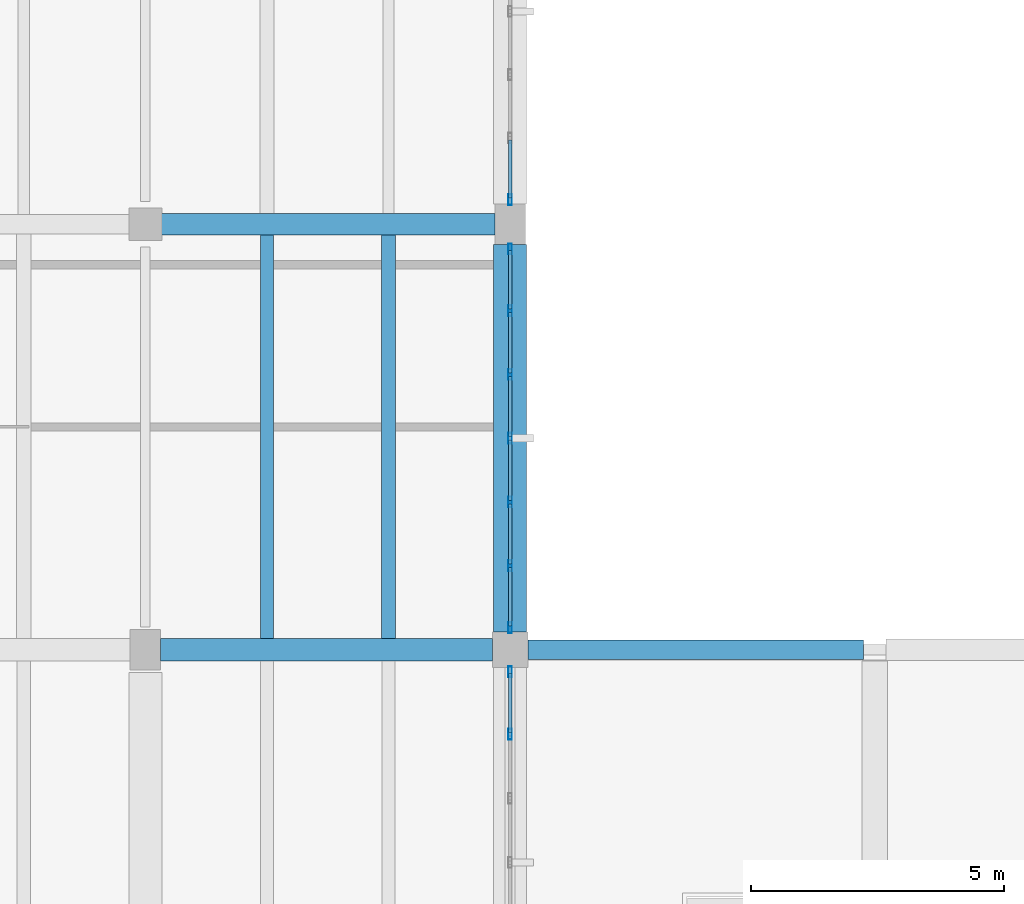
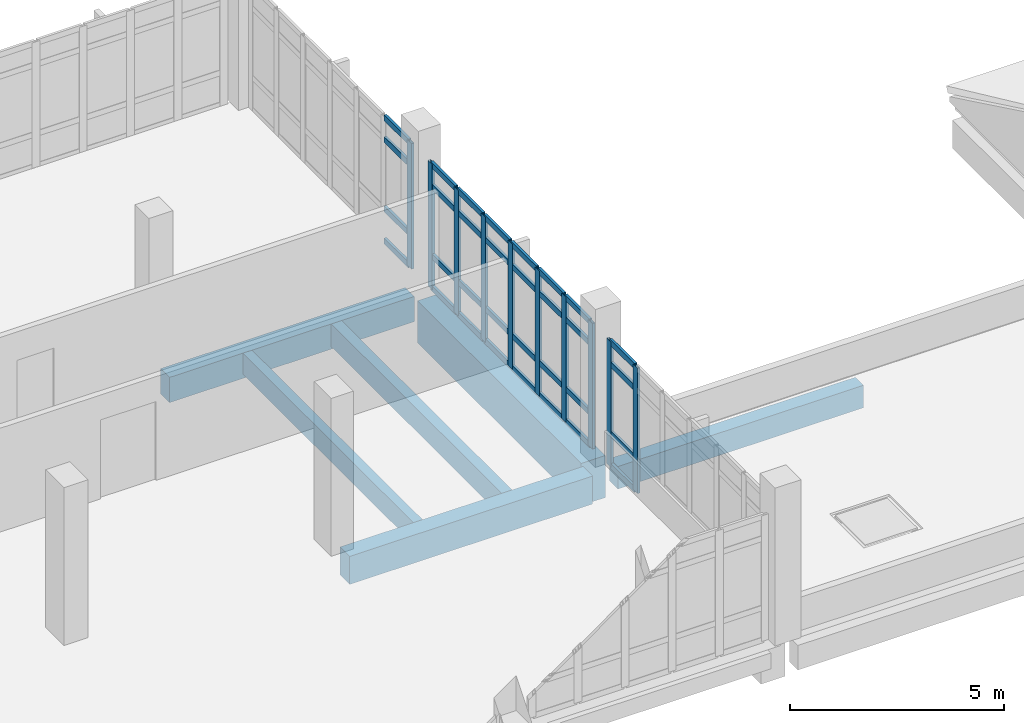
# One storey, part 76 of 124: 42 members, 6 beams, 3 elements without a shape of their own.
"""IFC4 building model written with IfcOpenShell, lengths in metres."""

import ifcopenshell
import ifcopenshell.guid

model = None  # the IFC model being written
_history = None  # IfcOwnerHistory: only IFC2X3 demands one
_inside = {}  # id of a spatial element -> (the spatial element, [elements in it])
_under = {}  # id of a project, library or spatial element -> (it, [spatial elements below it])
_declared = {}  # id of a project -> (the project, [libraries it declares])
_typed = {}  # id of a type object -> (the type object, [elements of that type])
_made_of = {}  # id of a material, layer set ... -> (it, [elements and type objects made of it])


def new_model(schema):
    """Start an empty IFC model of exactly this schema.

    Asked for "IFC4X3", IfcOpenShell would pick the latest addendum, in which some entities
    have other attributes; the version numbers below select the first issue.
    IFC2X3 requires an IfcOwnerHistory on every rooted entity: one is made here for all.
    """
    global model, _history
    if schema == "IFC4X3":
        model = ifcopenshell.file(schema_version=(4, 3, 0, 0))
    else:
        model = ifcopenshell.file(schema=schema)
    _inside.clear()
    _under.clear()
    _declared.clear()
    _typed.clear()
    _made_of.clear()
    _history = None
    if model.schema == "IFC2X3":
        org = make("IfcOrganization", Name="unknown")
        user = make(
            "IfcPersonAndOrganization",
            ThePerson=make("IfcPerson", FamilyName="unknown"),
            TheOrganization=org,
        )
        app = make(
            "IfcApplication",
            ApplicationDeveloper=org,
            Version="unknown",
            ApplicationFullName="unknown",
            ApplicationIdentifier="unknown",
        )
        _history = make(
            "IfcOwnerHistory",
            OwningUser=user,
            OwningApplication=app,
            ChangeAction="ADDED",
            CreationDate=0,
        )
    return model


def make(cls, **values):
    """One entity of the class cls with the attributes given. An attribute that is None is left unset."""
    return model.create_entity(
        cls, **{name: value for name, value in values.items() if value is not None}
    )


def rooted(cls, **values):
    """An entity with a GlobalId (a new one), such as an element, a storey or a relation."""
    return make(cls, GlobalId=ifcopenshell.guid.new(), OwnerHistory=_history, **values)


def si_unit(unit_type, name, prefix=None):
    """IfcSIUnit, for example si_unit("LENGTHUNIT", "METRE", prefix="MILLI")."""
    return make("IfcSIUnit", UnitType=unit_type, Prefix=prefix, Name=name)


def assignment(units):
    """IfcUnitAssignment: the units of a project."""
    return None if units is None else make("IfcUnitAssignment", Units=units)


def point(xyz):
    """IfcCartesianPoint."""
    return None if xyz is None else make("IfcCartesianPoint", Coordinates=xyz)


def direction(xyz):
    """IfcDirection."""
    return None if xyz is None else make("IfcDirection", DirectionRatios=xyz)


def frame(location, z_axis=None, x_axis=None):
    """IfcAxis2Placement3D, a coordinate frame: its origin and axes. An axis left out is left unset."""
    return make(
        "IfcAxis2Placement3D",
        Location=point(location),
        Axis=direction(z_axis),
        RefDirection=direction(x_axis),
    )


def frame_2d(location, x_axis=None):
    """IfcAxis2Placement2D, a coordinate frame in the plane: its origin and x axis."""
    return make(
        "IfcAxis2Placement2D", Location=point(location), RefDirection=direction(x_axis)
    )


def origin():
    """The frame at (0, 0, 0) with its axes left unset."""
    return frame((0.0, 0.0, 0.0))


def origin_2d():
    """The frame at (0, 0) in the plane with its x axis left unset."""
    return frame_2d((0.0, 0.0))


def place(relative_to, where):
    """IfcLocalPlacement: puts the frame where relative to a parent placement (None: the world)."""
    return make(
        "IfcLocalPlacement", PlacementRelTo=relative_to, RelativePlacement=where
    )


def context(
    kind, dimensions, precision=None, world=None, true_north=None, identifier=None
):
    """IfcGeometricRepresentationContext, for example the 3D "Model" context."""
    return make(
        "IfcGeometricRepresentationContext",
        ContextIdentifier=identifier,
        ContextType=kind,
        CoordinateSpaceDimension=dimensions,
        Precision=precision,
        WorldCoordinateSystem=world,
        TrueNorth=true_north,
    )


def subcontext(parent, identifier, kind, view, scale=None):
    """IfcGeometricRepresentationSubContext, for example "Body" below "Model"."""
    return make(
        "IfcGeometricRepresentationSubContext",
        ContextIdentifier=identifier,
        ContextType=kind,
        ParentContext=parent,
        TargetScale=scale,
        TargetView=view,
    )


def project(units=None, contexts=None):
    """IfcProject with its units and contexts."""
    return rooted(
        "IfcProject",
        Name="project",
        RepresentationContexts=contexts,
        UnitsInContext=assignment(units),
    )


def spatial(cls, under=None, at=None, **own):
    """A site, building, storey or space (cls), placed at a placement, below another one or the project."""
    s = rooted(cls, ObjectPlacement=at, **own)
    if under is not None:
        _under.setdefault(under.id(), (under, []))[1].append(s)
    return s


def profile(cls, at=None, kind="AREA", **sizes):
    """A parametric profile (cls). Its sizes go by their IFC names, for example OverallWidth=200.0."""
    return make(cls, ProfileType=kind, Position=at, **sizes)


def rectangle(**sizes):
    """IfcRectangleProfileDef."""
    return profile("IfcRectangleProfileDef", **sizes)


def hollow_rectangle(**sizes):
    """IfcRectangleHollowProfileDef."""
    return profile("IfcRectangleHollowProfileDef", **sizes)


def extrude(swept, where, along, depth):
    """IfcExtrudedAreaSolid: the profile swept, set in the frame where, extruded along a direction by depth."""
    return make(
        "IfcExtrudedAreaSolid",
        SweptArea=swept,
        Position=where,
        ExtrudedDirection=direction(along),
        Depth=depth,
    )


def shape(context_of_items, identifier, shape_type, items):
    """IfcShapeRepresentation: the items that make up one representation, for example the "Body"."""
    return make(
        "IfcShapeRepresentation",
        ContextOfItems=context_of_items,
        RepresentationIdentifier=identifier,
        RepresentationType=shape_type,
        Items=items,
    )


def material(Name=None, Category=None):
    """IfcMaterial."""
    return make("IfcMaterial", Name=Name, Category=Category)


def material_profile(
    of_material, cross_section, Name=None, Category=None, Priority=None
):
    """IfcMaterialProfile: a cross section and its material."""
    return make(
        "IfcMaterialProfile",
        Name=Name,
        Material=of_material,
        Profile=cross_section,
        Priority=Priority,
        Category=Category,
    )


def profile_set(profiles, Name=None, composite=None):
    """IfcMaterialProfileSet."""
    return make(
        "IfcMaterialProfileSet",
        Name=Name,
        MaterialProfiles=profiles,
        CompositeProfile=composite,
    )


def made_of(thing, what):
    """Note that an element or type object is made of a material, layer set ...; save() writes the relation."""
    if what is not None:
        _made_of.setdefault(what.id(), (what, []))[1].append(thing)
    return thing


def type_object(cls, material=None, **own):
    """A type object (cls), such as IfcWallType, which elements share."""
    return made_of(rooted(cls, **own), material)


def element(
    cls,
    number,
    at=None,
    inside=None,
    cuts=None,
    type_object=None,
    material=None,
    context=None,
    identifier="Body",
    shape_type=None,
    held_by="IfcProductDefinitionShape",
    body=None,
    shapes=None,
    **own,
):
    """One element of the class cls, such as IfcWall. Its Tag is "e" and its number.

    at: its placement. inside: the storey or other place that contains it. cuts: it is an
    opening in that element (IfcRelVoidsElement). A single representation is given by context,
    identifier, shape_type and body (its items); several are given by shapes. held_by: the class
    of the entity that holds the representations. save() writes the other relations.
    """
    e = rooted(cls, Tag="e%d" % number, ObjectPlacement=at, **own)
    if body is not None:
        shapes = [shape(context, identifier, shape_type, body)]
    if shapes is not None:
        e.Representation = make(held_by, Representations=shapes)
    if inside is not None:
        _inside.setdefault(inside.id(), (inside, []))[1].append(e)
    if cuts is not None:
        rooted(
            "IfcRelVoidsElement", RelatingBuildingElement=cuts, RelatedOpeningElement=e
        )
    if type_object is not None:
        _typed.setdefault(type_object.id(), (type_object, []))[1].append(e)
    return made_of(e, material)


def aggregate(whole, parts):
    """IfcRelAggregates: a whole, such as a stair, and the parts it consists of."""
    return rooted("IfcRelAggregates", RelatingObject=whole, RelatedObjects=parts)


def save(model, path):
    """Write the relations noted so far, then the file.

    IfcRelAggregates (storeys below a building ...), IfcRelContainedInSpatialStructure (elements
    in a storey), IfcRelDefinesByType, IfcRelAssociatesMaterial and IfcRelDeclares: one each for
    every whole, place, type object, material and project.
    """
    for whole, parts in _under.values():
        aggregate(whole, parts)
    for where, things in _inside.values():
        rooted(
            "IfcRelContainedInSpatialStructure",
            RelatedElements=things,
            RelatingStructure=where,
        )
    for kind, things in _typed.values():
        rooted("IfcRelDefinesByType", RelatedObjects=things, RelatingType=kind)
    for what, things in _made_of.values():
        rooted("IfcRelAssociatesMaterial", RelatedObjects=things, RelatingMaterial=what)
    for by, libraries in _declared.values():
        rooted("IfcRelDeclares", RelatingContext=by, RelatedDefinitions=libraries)
    model.write(path)


model = new_model("IFC4")

# Units and contexts
model_context = context("Model", 3, precision=1e-05, world=origin(), true_north=direction((0.0, 1.0)))
body_context = subcontext(model_context, "Body", "Model", "MODEL_VIEW")
ifc_project = project(units=[si_unit("LENGTHUNIT", "METRE"), si_unit("AREAUNIT", "SQUARE_METRE"), si_unit("VOLUMEUNIT", "CUBIC_METRE"), si_unit("PLANEANGLEUNIT", "RADIAN"), si_unit("MASSUNIT", "GRAM", prefix="KILO")], contexts=[model_context])

# Site, building, storey
site_placement = place(None, origin())
site = spatial("IfcSite", under=ifc_project, at=site_placement, CompositionType="ELEMENT")
building_placement = place(site_placement, origin())
building = spatial("IfcBuilding", under=site, at=building_placement, Name="Kalluvel Institute of Natural Sciences", CompositionType="ELEMENT")
storey_placement = place(building_placement, frame((0.0, 0.0, 9.89990234375)))
storey = spatial("IfcBuildingStorey", under=building, at=storey_placement, Name="L02", CompositionType="ELEMENT", Elevation=9.89990234375)

# Beams
ifc_material_1 = material(Name="Concrete M40", Category="concrete")
ifc_material_profile_1 = material_profile(ifc_material_1, rectangle(XDim=0.3798828125, YDim=0.639892578125, at=origin_2d()), Name="RCB 380x640")
ifc_profile_set_1 = profile_set([ifc_material_profile_1], Name="Concrete M40")
beam_type_1 = type_object("IfcBeamType", Name="BM-RC380x640", PredefinedType="BEAM", material=ifc_profile_set_1)
beam_1_placement = place(storey_placement, frame((115.14990234375, 111.199951171875, -0.639892578125), z_axis=(1.0, 0.0, 0.0), x_axis=(0.0, 1.0, 0.0)))
element("IfcBeam", 1, at=beam_1_placement, inside=storey, type_object=beam_type_1, Name="L02 girder GIR-L02-EW-X1148-Y1112", PredefinedType="BEAM", context=body_context, shape_type="SweptSolid", body=[
    extrude(rectangle(XDim=0.3798828125, YDim=0.639892578125, at=origin_2d()), origin(), (0.0, 0.0, 1.0), 6.625),
])
ifc_material_profile_2 = material_profile(ifc_material_1, rectangle(XDim=0.419921875, YDim=0.719970703125, at=origin_2d()), Name="RCB 420x720")
ifc_profile_set_2 = profile_set([ifc_material_profile_2], Name="Concrete M40")
beam_type_2 = type_object("IfcBeamType", Name="BM-RC420x720", PredefinedType="BEAM", material=ifc_profile_set_2)
beam_2_placement = place(storey_placement, frame((107.89990234375, 119.60009765625, -0.679931640625), z_axis=(1.0, 0.0, 0.0), x_axis=(0.0, 1.0, 0.0)))
element("IfcBeam", 2, at=beam_2_placement, inside=storey, type_object=beam_type_2, Name="L02 girder GIR-L02-EW-X1076-Y1196", PredefinedType="BEAM", context=body_context, shape_type="SweptSolid", body=[
    extrude(rectangle(XDim=0.419921875, YDim=0.719970703125, at=origin_2d()), origin(), (0.0, 0.0, 1.0), 6.60009765625),
])
ifc_material_profile_3 = material_profile(ifc_material_1, rectangle(XDim=0.449951171875, YDim=0.800048828125, at=origin_2d()), Name="RCB 450x800")
ifc_profile_set_3 = profile_set([ifc_material_profile_3], Name="Concrete M40")
beam_type_3 = type_object("IfcBeamType", Name="BM-RC450x800", PredefinedType="BEAM", material=ifc_profile_set_3)
beam_3_placement = place(storey_placement, frame((107.89990234375, 111.199951171875, -0.719970703125), z_axis=(1.0, 0.0, 0.0), x_axis=(0.0, 1.0, 0.0)))
element("IfcBeam", 3, at=beam_3_placement, inside=storey, type_object=beam_type_3, Name="L02 girder GIR-L02-EW-X1076-Y1112", PredefinedType="BEAM", context=body_context, shape_type="SweptSolid", body=[
    extrude(rectangle(XDim=0.449951171875, YDim=0.800048828125, at=origin_2d()), origin(), (0.0, 0.0, 1.0), 6.550048828125),
])
ifc_material_2 = material(Name="Concrete M50", Category="concrete")
ifc_material_profile_4 = material_profile(ifc_material_2, rectangle(XDim=0.64990234375, YDim=1.199951171875, at=origin_2d()), Name="RCB 650x1200")
ifc_profile_set_4 = profile_set([ifc_material_profile_4], Name="Concrete M50")
beam_type_4 = type_object("IfcBeamType", Name="BM-RC650x1200", PredefinedType="BEAM", material=ifc_profile_set_4)
beam_4_placement = place(storey_placement, frame((114.800048828125, 111.550048828125, -0.919921875), z_axis=(0.0, 1.0, 0.0), x_axis=(-1.0, 0.0, 0.0)))
element("IfcBeam", 4, at=beam_4_placement, inside=storey, type_object=beam_type_4, Name="L02 girder GIR-L02-NS-X1148-Y1112", PredefinedType="BEAM", context=body_context, shape_type="SweptSolid", body=[
    extrude(rectangle(XDim=0.64990234375, YDim=1.199951171875, at=origin_2d()), origin(), (0.0, 0.0, 1.0), 7.64990234375),
])

# Curtain wall, members
ifc_material_3 = material(Name="Aluminium AW-6063 T6", Category="aluminium")
curtain_wall_type = type_object("IfcCurtainWallType", Name="CW-WET-45", PredefinedType="USERDEFINED", material=ifc_material_3)
curtain_wall_1_placement = place(storey_placement, origin())
curtain_wall_1 = element("IfcCurtainWall", 5, at=curtain_wall_1_placement, inside=storey, type_object=curtain_wall_type, Name="L02 Gothic lancet curtain wall CWA-L02-X1148-Y1032", ObjectType="UNITISED LANCET FACADE", PredefinedType="USERDEFINED")
ifc_material_profile_5 = material_profile(ifc_material_3, hollow_rectangle(XDim=0.070068359375, YDim=0.2099609375, WallThickness=0.0048828125, at=origin_2d()), Name="CWM 70x210")
ifc_profile_set_5 = profile_set([ifc_material_profile_5], Name="Aluminium AW-6063 T6")
member_type_1 = type_object("IfcMemberType", Name="CWM-70x210", PredefinedType="MULLION", material=ifc_profile_set_5)
member_1_placement = place(storey_placement, frame((114.800048828125, 109.533447265625, 0.0), z_axis=(0.0, 0.0, 1.0), x_axis=(-1.0, 0.0, 0.0)))
member_1 = element("IfcMember", 6, at=member_1_placement, type_object=member_type_1, Name="CW-01 mullion 6", PredefinedType="MULLION", context=body_context, shape_type="SweptSolid", body=[
    extrude(hollow_rectangle(XDim=0.070068359375, YDim=0.2099609375, WallThickness=0.0048828125, at=origin_2d()), origin(), (0.0, 0.0, 1.0), 3.580078125),
])
member_2_placement = place(storey_placement, frame((114.800048828125, 110.764892578125, 0.0), z_axis=(0.0, 0.0, 1.0), x_axis=(-1.0, 0.0, 0.0)))
member_2 = element("IfcMember", 7, at=member_2_placement, type_object=member_type_1, Name="CW-01 mullion 7", PredefinedType="MULLION", context=body_context, shape_type="SweptSolid", body=[
    extrude(hollow_rectangle(XDim=0.070068359375, YDim=0.2099609375, WallThickness=0.0048828125, at=origin_2d()), origin(), (0.0, 0.0, 1.0), 3.580078125),
])

curtain_wall_2_placement = place(storey_placement, origin())
curtain_wall_2 = element("IfcCurtainWall", 8, at=curtain_wall_2_placement, inside=storey, type_object=curtain_wall_type, Name="L02 Gothic lancet curtain wall CWA-L02-X1148-Y1116", ObjectType="UNITISED LANCET FACADE", PredefinedType="USERDEFINED")
member_3_placement = place(storey_placement, frame((114.800048828125, 111.635009765625, 0.0), z_axis=(0.0, 0.0, 1.0), x_axis=(-1.0, 0.0, 0.0)))
member_3 = element("IfcMember", 9, at=member_3_placement, type_object=member_type_1, Name="CW-01 mullion 1", PredefinedType="MULLION", context=body_context, shape_type="SweptSolid", body=[
    extrude(hollow_rectangle(XDim=0.070068359375, YDim=0.2099609375, WallThickness=0.0048828125, at=origin_2d()), origin(), (0.0, 0.0, 1.0), 3.580078125),
])
member_4_placement = place(storey_placement, frame((114.800048828125, 112.8583984375, 0.0), z_axis=(0.0, 0.0, 1.0), x_axis=(-1.0, 0.0, 0.0)))
member_4 = element("IfcMember", 10, at=member_4_placement, type_object=member_type_1, Name="CW-01 mullion 2", PredefinedType="MULLION", context=body_context, shape_type="SweptSolid", body=[
    extrude(hollow_rectangle(XDim=0.070068359375, YDim=0.2099609375, WallThickness=0.0048828125, at=origin_2d()), origin(), (0.0, 0.0, 1.0), 3.580078125),
])
member_5_placement = place(storey_placement, frame((114.800048828125, 114.11669921875, 0.0), z_axis=(0.0, 0.0, 1.0), x_axis=(-1.0, 0.0, 0.0)))
member_5 = element("IfcMember", 11, at=member_5_placement, type_object=member_type_1, Name="CW-01 mullion 3", PredefinedType="MULLION", context=body_context, shape_type="SweptSolid", body=[
    extrude(hollow_rectangle(XDim=0.070068359375, YDim=0.2099609375, WallThickness=0.0048828125, at=origin_2d()), origin(), (0.0, 0.0, 1.0), 3.580078125),
])
member_6_placement = place(storey_placement, frame((114.800048828125, 115.375, 0.0), z_axis=(0.0, 0.0, 1.0), x_axis=(-1.0, 0.0, 0.0)))
member_6 = element("IfcMember", 12, at=member_6_placement, type_object=member_type_1, Name="CW-01 mullion 4", PredefinedType="MULLION", context=body_context, shape_type="SweptSolid", body=[
    extrude(hollow_rectangle(XDim=0.070068359375, YDim=0.2099609375, WallThickness=0.0048828125, at=origin_2d()), origin(), (0.0, 0.0, 1.0), 3.580078125),
])
member_7_placement = place(storey_placement, frame((114.800048828125, 116.63330078125, 0.0), z_axis=(0.0, 0.0, 1.0), x_axis=(-1.0, 0.0, 0.0)))
member_7 = element("IfcMember", 13, at=member_7_placement, type_object=member_type_1, Name="CW-01 mullion 5", PredefinedType="MULLION", context=body_context, shape_type="SweptSolid", body=[
    extrude(hollow_rectangle(XDim=0.070068359375, YDim=0.2099609375, WallThickness=0.0048828125, at=origin_2d()), origin(), (0.0, 0.0, 1.0), 3.580078125),
])
member_8_placement = place(storey_placement, frame((114.800048828125, 117.8916015625, 0.0), z_axis=(0.0, 0.0, 1.0), x_axis=(-1.0, 0.0, 0.0)))
member_8 = element("IfcMember", 14, at=member_8_placement, type_object=member_type_1, Name="CW-01 mullion 6", PredefinedType="MULLION", context=body_context, shape_type="SweptSolid", body=[
    extrude(hollow_rectangle(XDim=0.070068359375, YDim=0.2099609375, WallThickness=0.0048828125, at=origin_2d()), origin(), (0.0, 0.0, 1.0), 3.580078125),
])
member_9_placement = place(storey_placement, frame((114.800048828125, 119.114990234375, 0.0), z_axis=(0.0, 0.0, 1.0), x_axis=(-1.0, 0.0, 0.0)))
member_9 = element("IfcMember", 15, at=member_9_placement, type_object=member_type_1, Name="CW-01 mullion 7", PredefinedType="MULLION", context=body_context, shape_type="SweptSolid", body=[
    extrude(hollow_rectangle(XDim=0.070068359375, YDim=0.2099609375, WallThickness=0.0048828125, at=origin_2d()), origin(), (0.0, 0.0, 1.0), 3.580078125),
])

# Curtain wall, member
curtain_wall_3_placement = place(storey_placement, origin())
curtain_wall_3 = element("IfcCurtainWall", 16, at=curtain_wall_3_placement, inside=storey, type_object=curtain_wall_type, Name="L02 Gothic lancet curtain wall CWA-L02-X1148-Y1200", ObjectType="UNITISED LANCET FACADE", PredefinedType="USERDEFINED")
member_10_placement = place(storey_placement, frame((114.800048828125, 120.0849609375, 0.0), z_axis=(0.0, 0.0, 1.0), x_axis=(-1.0, 0.0, 0.0)))
member_10 = element("IfcMember", 17, at=member_10_placement, type_object=member_type_1, Name="CW-01 mullion 1", PredefinedType="MULLION", context=body_context, shape_type="SweptSolid", body=[
    extrude(hollow_rectangle(XDim=0.070068359375, YDim=0.2099609375, WallThickness=0.0048828125, at=origin_2d()), origin(), (0.0, 0.0, 1.0), 3.580078125),
])

# Member
ifc_material_profile_6 = material_profile(ifc_material_3, hollow_rectangle(XDim=0.070068359375, YDim=0.159912109375, WallThickness=0.0048828125, at=origin_2d()), Name="CWT 70x160")
ifc_profile_set_6 = profile_set([ifc_material_profile_6], Name="Aluminium AW-6063 T6")
member_type_2 = type_object("IfcMemberType", Name="CWT-70x160", PredefinedType="USERDEFINED", material=ifc_profile_set_6)
member_11_placement = place(storey_placement, frame((114.800048828125, 109.568359375, 0.03515625), z_axis=(0.0, 1.0, 0.0), x_axis=(-1.0, 0.0, 0.0)))
member_11 = element("IfcMember", 18, at=member_11_placement, type_object=member_type_2, Name="CW-01 transom 6.1", ObjectType="TRANSOM", PredefinedType="USERDEFINED", context=body_context, shape_type="SweptSolid", body=[
    extrude(hollow_rectangle(XDim=0.070068359375, YDim=0.159912109375, WallThickness=0.0048828125, at=origin_2d()), origin(), (0.0, 0.0, 1.0), 1.16162109375),
])

member_12_placement = place(storey_placement, frame((114.800048828125, 109.568359375, 0.9501953125), z_axis=(0.0, 1.0, 0.0), x_axis=(-1.0, 0.0, 0.0)))
member_12 = element("IfcMember", 19, at=member_12_placement, type_object=member_type_2, Name="CW-01 transom 6.2", ObjectType="TRANSOM", PredefinedType="USERDEFINED", context=body_context, shape_type="SweptSolid", body=[
    extrude(hollow_rectangle(XDim=0.070068359375, YDim=0.159912109375, WallThickness=0.0048828125, at=origin_2d()), origin(), (0.0, 0.0, 1.0), 1.16162109375),
])

member_13_placement = place(storey_placement, frame((114.800048828125, 109.568359375, 2.93017578125), z_axis=(0.0, 1.0, 0.0), x_axis=(-1.0, 0.0, 0.0)))
member_13 = element("IfcMember", 20, at=member_13_placement, type_object=member_type_2, Name="CW-01 transom 6.3", ObjectType="TRANSOM", PredefinedType="USERDEFINED", context=body_context, shape_type="SweptSolid", body=[
    extrude(hollow_rectangle(XDim=0.070068359375, YDim=0.159912109375, WallThickness=0.0048828125, at=origin_2d()), origin(), (0.0, 0.0, 1.0), 1.16162109375),
])

member_14_placement = place(storey_placement, frame((114.800048828125, 109.568359375, 3.545166015625), z_axis=(0.0, 1.0, 0.0), x_axis=(-1.0, 0.0, 0.0)))
member_14 = element("IfcMember", 21, at=member_14_placement, type_object=member_type_2, Name="CW-01 transom 6.4", ObjectType="TRANSOM", PredefinedType="USERDEFINED", context=body_context, shape_type="SweptSolid", body=[
    extrude(hollow_rectangle(XDim=0.070068359375, YDim=0.159912109375, WallThickness=0.0048828125, at=origin_2d()), origin(), (0.0, 0.0, 1.0), 1.16162109375),
])

aggregate(curtain_wall_1, [member_1, member_2, member_11, member_12, member_13, member_14])

member_15_placement = place(storey_placement, frame((114.800048828125, 111.669921875, 0.03515625), z_axis=(0.0, 1.0, 0.0), x_axis=(-1.0, 0.0, 0.0)))
member_15 = element("IfcMember", 22, at=member_15_placement, type_object=member_type_2, Name="CW-01 transom 1.1", ObjectType="TRANSOM", PredefinedType="USERDEFINED", context=body_context, shape_type="SweptSolid", body=[
    extrude(hollow_rectangle(XDim=0.070068359375, YDim=0.159912109375, WallThickness=0.0048828125, at=origin_2d()), origin(), (0.0, 0.0, 1.0), 1.1533203125),
])

member_16_placement = place(storey_placement, frame((114.800048828125, 111.669921875, 0.9501953125), z_axis=(0.0, 1.0, 0.0), x_axis=(-1.0, 0.0, 0.0)))
member_16 = element("IfcMember", 23, at=member_16_placement, type_object=member_type_2, Name="CW-01 transom 1.2", ObjectType="TRANSOM", PredefinedType="USERDEFINED", context=body_context, shape_type="SweptSolid", body=[
    extrude(hollow_rectangle(XDim=0.070068359375, YDim=0.159912109375, WallThickness=0.0048828125, at=origin_2d()), origin(), (0.0, 0.0, 1.0), 1.1533203125),
])

member_17_placement = place(storey_placement, frame((114.800048828125, 111.669921875, 2.93017578125), z_axis=(0.0, 1.0, 0.0), x_axis=(-1.0, 0.0, 0.0)))
member_17 = element("IfcMember", 24, at=member_17_placement, type_object=member_type_2, Name="CW-01 transom 1.3", ObjectType="TRANSOM", PredefinedType="USERDEFINED", context=body_context, shape_type="SweptSolid", body=[
    extrude(hollow_rectangle(XDim=0.070068359375, YDim=0.159912109375, WallThickness=0.0048828125, at=origin_2d()), origin(), (0.0, 0.0, 1.0), 1.1533203125),
])

member_18_placement = place(storey_placement, frame((114.800048828125, 111.669921875, 3.545166015625), z_axis=(0.0, 1.0, 0.0), x_axis=(-1.0, 0.0, 0.0)))
member_18 = element("IfcMember", 25, at=member_18_placement, type_object=member_type_2, Name="CW-01 transom 1.4", ObjectType="TRANSOM", PredefinedType="USERDEFINED", context=body_context, shape_type="SweptSolid", body=[
    extrude(hollow_rectangle(XDim=0.070068359375, YDim=0.159912109375, WallThickness=0.0048828125, at=origin_2d()), origin(), (0.0, 0.0, 1.0), 1.1533203125),
])

member_19_placement = place(storey_placement, frame((114.800048828125, 112.893310546875, 0.03515625), z_axis=(0.0, 1.0, 0.0), x_axis=(-1.0, 0.0, 0.0)))
member_19 = element("IfcMember", 26, at=member_19_placement, type_object=member_type_2, Name="CW-01 transom 2.1", ObjectType="TRANSOM", PredefinedType="USERDEFINED", context=body_context, shape_type="SweptSolid", body=[
    extrude(hollow_rectangle(XDim=0.070068359375, YDim=0.159912109375, WallThickness=0.0048828125, at=origin_2d()), origin(), (0.0, 0.0, 1.0), 1.1884765625),
])

member_20_placement = place(storey_placement, frame((114.800048828125, 112.893310546875, 0.9501953125), z_axis=(0.0, 1.0, 0.0), x_axis=(-1.0, 0.0, 0.0)))
member_20 = element("IfcMember", 27, at=member_20_placement, type_object=member_type_2, Name="CW-01 transom 2.2", ObjectType="TRANSOM", PredefinedType="USERDEFINED", context=body_context, shape_type="SweptSolid", body=[
    extrude(hollow_rectangle(XDim=0.070068359375, YDim=0.159912109375, WallThickness=0.0048828125, at=origin_2d()), origin(), (0.0, 0.0, 1.0), 1.1884765625),
])

member_21_placement = place(storey_placement, frame((114.800048828125, 112.893310546875, 2.93017578125), z_axis=(0.0, 1.0, 0.0), x_axis=(-1.0, 0.0, 0.0)))
member_21 = element("IfcMember", 28, at=member_21_placement, type_object=member_type_2, Name="CW-01 transom 2.3", ObjectType="TRANSOM", PredefinedType="USERDEFINED", context=body_context, shape_type="SweptSolid", body=[
    extrude(hollow_rectangle(XDim=0.070068359375, YDim=0.159912109375, WallThickness=0.0048828125, at=origin_2d()), origin(), (0.0, 0.0, 1.0), 1.1884765625),
])

member_22_placement = place(storey_placement, frame((114.800048828125, 112.893310546875, 3.545166015625), z_axis=(0.0, 1.0, 0.0), x_axis=(-1.0, 0.0, 0.0)))
member_22 = element("IfcMember", 29, at=member_22_placement, type_object=member_type_2, Name="CW-01 transom 2.4", ObjectType="TRANSOM", PredefinedType="USERDEFINED", context=body_context, shape_type="SweptSolid", body=[
    extrude(hollow_rectangle(XDim=0.070068359375, YDim=0.159912109375, WallThickness=0.0048828125, at=origin_2d()), origin(), (0.0, 0.0, 1.0), 1.1884765625),
])

member_23_placement = place(storey_placement, frame((114.800048828125, 114.151611328125, 0.03515625), z_axis=(0.0, 1.0, 0.0), x_axis=(-1.0, 0.0, 0.0)))
member_23 = element("IfcMember", 30, at=member_23_placement, type_object=member_type_2, Name="CW-01 transom 3.1", ObjectType="TRANSOM", PredefinedType="USERDEFINED", context=body_context, shape_type="SweptSolid", body=[
    extrude(hollow_rectangle(XDim=0.070068359375, YDim=0.159912109375, WallThickness=0.0048828125, at=origin_2d()), origin(), (0.0, 0.0, 1.0), 1.1884765625),
])

member_24_placement = place(storey_placement, frame((114.800048828125, 114.151611328125, 0.9501953125), z_axis=(0.0, 1.0, 0.0), x_axis=(-1.0, 0.0, 0.0)))
member_24 = element("IfcMember", 31, at=member_24_placement, type_object=member_type_2, Name="CW-01 transom 3.2", ObjectType="TRANSOM", PredefinedType="USERDEFINED", context=body_context, shape_type="SweptSolid", body=[
    extrude(hollow_rectangle(XDim=0.070068359375, YDim=0.159912109375, WallThickness=0.0048828125, at=origin_2d()), origin(), (0.0, 0.0, 1.0), 1.1884765625),
])

member_25_placement = place(storey_placement, frame((114.800048828125, 114.151611328125, 2.93017578125), z_axis=(0.0, 1.0, 0.0), x_axis=(-1.0, 0.0, 0.0)))
member_25 = element("IfcMember", 32, at=member_25_placement, type_object=member_type_2, Name="CW-01 transom 3.3", ObjectType="TRANSOM", PredefinedType="USERDEFINED", context=body_context, shape_type="SweptSolid", body=[
    extrude(hollow_rectangle(XDim=0.070068359375, YDim=0.159912109375, WallThickness=0.0048828125, at=origin_2d()), origin(), (0.0, 0.0, 1.0), 1.1884765625),
])

member_26_placement = place(storey_placement, frame((114.800048828125, 114.151611328125, 3.545166015625), z_axis=(0.0, 1.0, 0.0), x_axis=(-1.0, 0.0, 0.0)))
member_26 = element("IfcMember", 33, at=member_26_placement, type_object=member_type_2, Name="CW-01 transom 3.4", ObjectType="TRANSOM", PredefinedType="USERDEFINED", context=body_context, shape_type="SweptSolid", body=[
    extrude(hollow_rectangle(XDim=0.070068359375, YDim=0.159912109375, WallThickness=0.0048828125, at=origin_2d()), origin(), (0.0, 0.0, 1.0), 1.1884765625),
])

member_27_placement = place(storey_placement, frame((114.800048828125, 115.409912109375, 0.03515625), z_axis=(0.0, 1.0, 0.0), x_axis=(-1.0, 0.0, 0.0)))
member_27 = element("IfcMember", 34, at=member_27_placement, type_object=member_type_2, Name="CW-01 transom 4.1", ObjectType="TRANSOM", PredefinedType="USERDEFINED", context=body_context, shape_type="SweptSolid", body=[
    extrude(hollow_rectangle(XDim=0.070068359375, YDim=0.159912109375, WallThickness=0.0048828125, at=origin_2d()), origin(), (0.0, 0.0, 1.0), 1.1884765625),
])

member_28_placement = place(storey_placement, frame((114.800048828125, 115.409912109375, 0.9501953125), z_axis=(0.0, 1.0, 0.0), x_axis=(-1.0, 0.0, 0.0)))
member_28 = element("IfcMember", 35, at=member_28_placement, type_object=member_type_2, Name="CW-01 transom 4.2", ObjectType="TRANSOM", PredefinedType="USERDEFINED", context=body_context, shape_type="SweptSolid", body=[
    extrude(hollow_rectangle(XDim=0.070068359375, YDim=0.159912109375, WallThickness=0.0048828125, at=origin_2d()), origin(), (0.0, 0.0, 1.0), 1.1884765625),
])

member_29_placement = place(storey_placement, frame((114.800048828125, 115.409912109375, 2.93017578125), z_axis=(0.0, 1.0, 0.0), x_axis=(-1.0, 0.0, 0.0)))
member_29 = element("IfcMember", 36, at=member_29_placement, type_object=member_type_2, Name="CW-01 transom 4.3", ObjectType="TRANSOM", PredefinedType="USERDEFINED", context=body_context, shape_type="SweptSolid", body=[
    extrude(hollow_rectangle(XDim=0.070068359375, YDim=0.159912109375, WallThickness=0.0048828125, at=origin_2d()), origin(), (0.0, 0.0, 1.0), 1.1884765625),
])

member_30_placement = place(storey_placement, frame((114.800048828125, 115.409912109375, 3.545166015625), z_axis=(0.0, 1.0, 0.0), x_axis=(-1.0, 0.0, 0.0)))
member_30 = element("IfcMember", 37, at=member_30_placement, type_object=member_type_2, Name="CW-01 transom 4.4", ObjectType="TRANSOM", PredefinedType="USERDEFINED", context=body_context, shape_type="SweptSolid", body=[
    extrude(hollow_rectangle(XDim=0.070068359375, YDim=0.159912109375, WallThickness=0.0048828125, at=origin_2d()), origin(), (0.0, 0.0, 1.0), 1.1884765625),
])

member_31_placement = place(storey_placement, frame((114.800048828125, 116.668212890625, 0.03515625), z_axis=(0.0, 1.0, 0.0), x_axis=(-1.0, 0.0, 0.0)))
member_31 = element("IfcMember", 38, at=member_31_placement, type_object=member_type_2, Name="CW-01 transom 5.1", ObjectType="TRANSOM", PredefinedType="USERDEFINED", context=body_context, shape_type="SweptSolid", body=[
    extrude(hollow_rectangle(XDim=0.070068359375, YDim=0.159912109375, WallThickness=0.0048828125, at=origin_2d()), origin(), (0.0, 0.0, 1.0), 1.1884765625),
])

member_32_placement = place(storey_placement, frame((114.800048828125, 116.668212890625, 0.9501953125), z_axis=(0.0, 1.0, 0.0), x_axis=(-1.0, 0.0, 0.0)))
member_32 = element("IfcMember", 39, at=member_32_placement, type_object=member_type_2, Name="CW-01 transom 5.2", ObjectType="TRANSOM", PredefinedType="USERDEFINED", context=body_context, shape_type="SweptSolid", body=[
    extrude(hollow_rectangle(XDim=0.070068359375, YDim=0.159912109375, WallThickness=0.0048828125, at=origin_2d()), origin(), (0.0, 0.0, 1.0), 1.1884765625),
])

member_33_placement = place(storey_placement, frame((114.800048828125, 116.668212890625, 2.93017578125), z_axis=(0.0, 1.0, 0.0), x_axis=(-1.0, 0.0, 0.0)))
member_33 = element("IfcMember", 40, at=member_33_placement, type_object=member_type_2, Name="CW-01 transom 5.3", ObjectType="TRANSOM", PredefinedType="USERDEFINED", context=body_context, shape_type="SweptSolid", body=[
    extrude(hollow_rectangle(XDim=0.070068359375, YDim=0.159912109375, WallThickness=0.0048828125, at=origin_2d()), origin(), (0.0, 0.0, 1.0), 1.1884765625),
])

member_34_placement = place(storey_placement, frame((114.800048828125, 116.668212890625, 3.545166015625), z_axis=(0.0, 1.0, 0.0), x_axis=(-1.0, 0.0, 0.0)))
member_34 = element("IfcMember", 41, at=member_34_placement, type_object=member_type_2, Name="CW-01 transom 5.4", ObjectType="TRANSOM", PredefinedType="USERDEFINED", context=body_context, shape_type="SweptSolid", body=[
    extrude(hollow_rectangle(XDim=0.070068359375, YDim=0.159912109375, WallThickness=0.0048828125, at=origin_2d()), origin(), (0.0, 0.0, 1.0), 1.1884765625),
])

member_35_placement = place(storey_placement, frame((114.800048828125, 117.9267578125, 0.03515625), z_axis=(0.0, 1.0, 0.0), x_axis=(-1.0, 0.0, 0.0)))
member_35 = element("IfcMember", 42, at=member_35_placement, type_object=member_type_2, Name="CW-01 transom 6.1", ObjectType="TRANSOM", PredefinedType="USERDEFINED", context=body_context, shape_type="SweptSolid", body=[
    extrude(hollow_rectangle(XDim=0.070068359375, YDim=0.159912109375, WallThickness=0.0048828125, at=origin_2d()), origin(), (0.0, 0.0, 1.0), 1.1533203125),
])

member_36_placement = place(storey_placement, frame((114.800048828125, 117.9267578125, 0.9501953125), z_axis=(0.0, 1.0, 0.0), x_axis=(-1.0, 0.0, 0.0)))
member_36 = element("IfcMember", 43, at=member_36_placement, type_object=member_type_2, Name="CW-01 transom 6.2", ObjectType="TRANSOM", PredefinedType="USERDEFINED", context=body_context, shape_type="SweptSolid", body=[
    extrude(hollow_rectangle(XDim=0.070068359375, YDim=0.159912109375, WallThickness=0.0048828125, at=origin_2d()), origin(), (0.0, 0.0, 1.0), 1.1533203125),
])

member_37_placement = place(storey_placement, frame((114.800048828125, 117.9267578125, 2.93017578125), z_axis=(0.0, 1.0, 0.0), x_axis=(-1.0, 0.0, 0.0)))
member_37 = element("IfcMember", 44, at=member_37_placement, type_object=member_type_2, Name="CW-01 transom 6.3", ObjectType="TRANSOM", PredefinedType="USERDEFINED", context=body_context, shape_type="SweptSolid", body=[
    extrude(hollow_rectangle(XDim=0.070068359375, YDim=0.159912109375, WallThickness=0.0048828125, at=origin_2d()), origin(), (0.0, 0.0, 1.0), 1.1533203125),
])

member_38_placement = place(storey_placement, frame((114.800048828125, 117.9267578125, 3.545166015625), z_axis=(0.0, 1.0, 0.0), x_axis=(-1.0, 0.0, 0.0)))
member_38 = element("IfcMember", 45, at=member_38_placement, type_object=member_type_2, Name="CW-01 transom 6.4", ObjectType="TRANSOM", PredefinedType="USERDEFINED", context=body_context, shape_type="SweptSolid", body=[
    extrude(hollow_rectangle(XDim=0.070068359375, YDim=0.159912109375, WallThickness=0.0048828125, at=origin_2d()), origin(), (0.0, 0.0, 1.0), 1.1533203125),
])

aggregate(curtain_wall_2, [member_3, member_4, member_5, member_6, member_7, member_8, member_9, member_15, member_16, member_17, member_18, member_19, member_20, member_21, member_22, member_23, member_24, member_25, member_26, member_27, member_28, member_29, member_30, member_31, member_32, member_33, member_34, member_35, member_36, member_37, member_38])

member_39_placement = place(storey_placement, frame((114.800048828125, 120.1201171875, 0.03515625), z_axis=(0.0, 1.0, 0.0), x_axis=(-1.0, 0.0, 0.0)))
member_39 = element("IfcMember", 46, at=member_39_placement, type_object=member_type_2, Name="CW-01 transom 1.1", ObjectType="TRANSOM", PredefinedType="USERDEFINED", context=body_context, shape_type="SweptSolid", body=[
    extrude(hollow_rectangle(XDim=0.070068359375, YDim=0.159912109375, WallThickness=0.0048828125, at=origin_2d()), origin(), (0.0, 0.0, 1.0), 1.144775390625),
])

member_40_placement = place(storey_placement, frame((114.800048828125, 120.1201171875, 0.9501953125), z_axis=(0.0, 1.0, 0.0), x_axis=(-1.0, 0.0, 0.0)))
member_40 = element("IfcMember", 47, at=member_40_placement, type_object=member_type_2, Name="CW-01 transom 1.2", ObjectType="TRANSOM", PredefinedType="USERDEFINED", context=body_context, shape_type="SweptSolid", body=[
    extrude(hollow_rectangle(XDim=0.070068359375, YDim=0.159912109375, WallThickness=0.0048828125, at=origin_2d()), origin(), (0.0, 0.0, 1.0), 1.144775390625),
])

member_41_placement = place(storey_placement, frame((114.800048828125, 120.1201171875, 2.93017578125), z_axis=(0.0, 1.0, 0.0), x_axis=(-1.0, 0.0, 0.0)))
member_41 = element("IfcMember", 48, at=member_41_placement, type_object=member_type_2, Name="CW-01 transom 1.3", ObjectType="TRANSOM", PredefinedType="USERDEFINED", context=body_context, shape_type="SweptSolid", body=[
    extrude(hollow_rectangle(XDim=0.070068359375, YDim=0.159912109375, WallThickness=0.0048828125, at=origin_2d()), origin(), (0.0, 0.0, 1.0), 1.144775390625),
])

member_42_placement = place(storey_placement, frame((114.800048828125, 120.1201171875, 3.545166015625), z_axis=(0.0, 1.0, 0.0), x_axis=(-1.0, 0.0, 0.0)))
member_42 = element("IfcMember", 49, at=member_42_placement, type_object=member_type_2, Name="CW-01 transom 1.4", ObjectType="TRANSOM", PredefinedType="USERDEFINED", context=body_context, shape_type="SweptSolid", body=[
    extrude(hollow_rectangle(XDim=0.070068359375, YDim=0.159912109375, WallThickness=0.0048828125, at=origin_2d()), origin(), (0.0, 0.0, 1.0), 1.144775390625),
])

aggregate(curtain_wall_3, [member_10, member_39, member_40, member_41, member_42])

# Beams
ifc_material_profile_7 = material_profile(ifc_material_1, rectangle(XDim=0.25, YDim=0.60009765625, at=origin_2d()), Name="WAF 250x600")
ifc_profile_set_7 = profile_set([ifc_material_profile_7], Name="Concrete M40")
beam_type_5 = type_object("IfcBeamType", Name="WJ-250x600", PredefinedType="JOIST", material=ifc_profile_set_7)
beam_5_placement = place(storey_placement, frame((110.0, 111.425048828125, -0.619873046875), z_axis=(0.0, 1.0, 0.0), x_axis=(-1.0, 0.0, 0.0)))
element("IfcBeam", 50, at=beam_5_placement, inside=storey, type_object=beam_type_5, Name="L02 waffle joist RIB-L02-0214", PredefinedType="JOIST", context=body_context, shape_type="SweptSolid", body=[
    extrude(rectangle(XDim=0.25, YDim=0.60009765625, at=origin_2d()), origin(), (0.0, 0.0, 1.0), 7.96484375),
])
ifc_material_profile_8 = material_profile(ifc_material_2, rectangle(XDim=0.280029296875, YDim=0.64990234375, at=origin_2d()), Name="WAF 280x650")
ifc_profile_set_8 = profile_set([ifc_material_profile_8], Name="Concrete M50")
beam_type_6 = type_object("IfcBeamType", Name="WJ-280x650", PredefinedType="JOIST", material=ifc_profile_set_8)
beam_6_placement = place(storey_placement, frame((112.39990234375, 111.425048828125, -0.64501953125), z_axis=(0.0, 1.0, 0.0), x_axis=(-1.0, 0.0, 0.0)))
element("IfcBeam", 51, at=beam_6_placement, inside=storey, type_object=beam_type_6, Name="L02 waffle joist RIB-L02-0215", PredefinedType="JOIST", context=body_context, shape_type="SweptSolid", body=[
    extrude(rectangle(XDim=0.280029296875, YDim=0.64990234375, at=origin_2d()), origin(), (0.0, 0.0, 1.0), 7.96484375),
])

save(model, "model.ifc")
